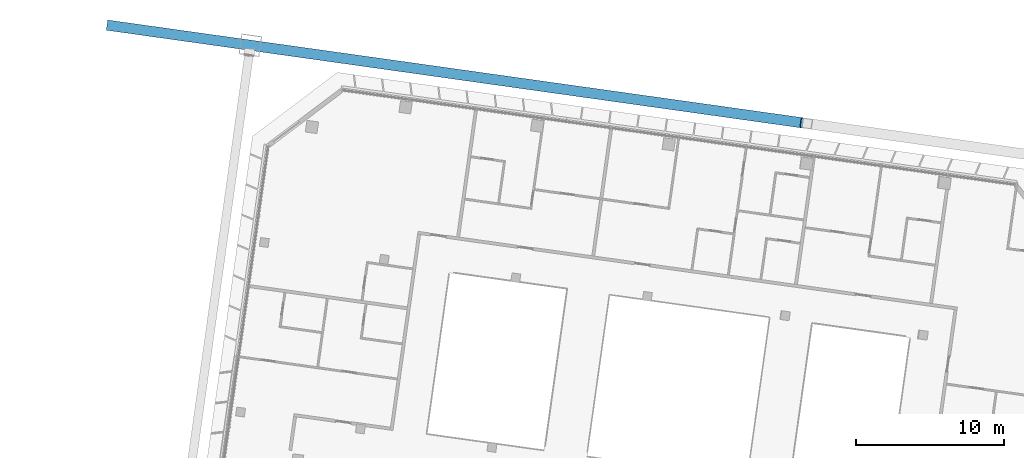
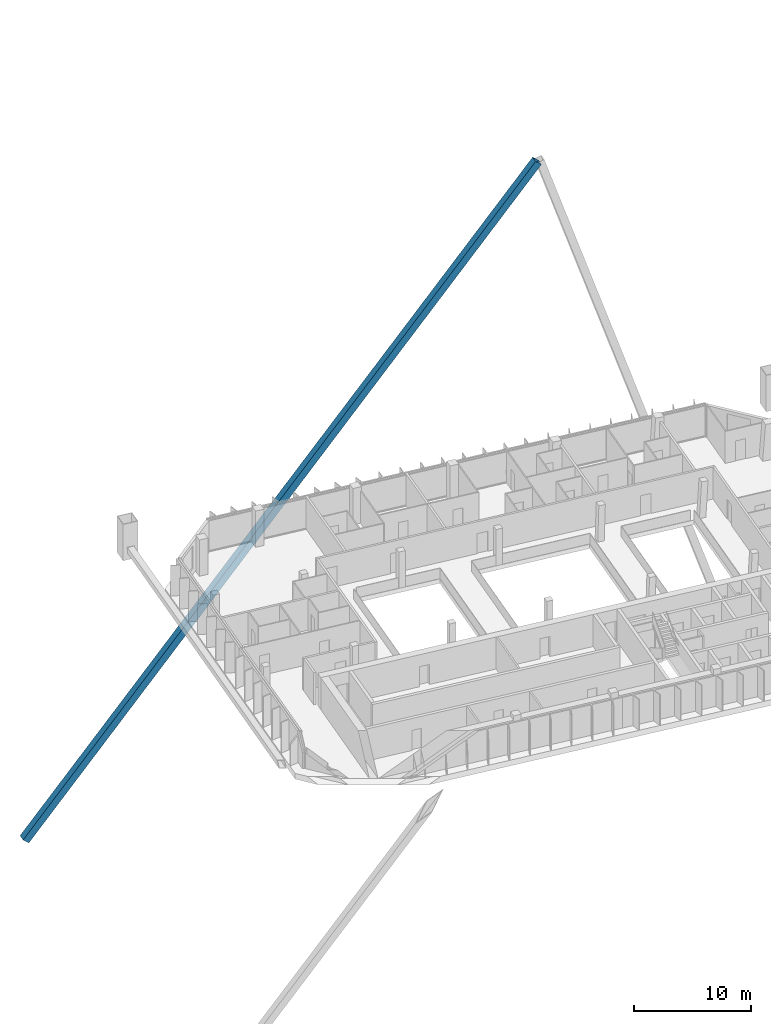
# One storey, part 8 of 38: 1 member.
"""IFC4 building model written with IfcOpenShell, lengths in metres."""

from ifc_helpers import new_model, si_unit, direction, frame, origin, origin_2d, place, context, subcontext, project, spatial, hollow_rectangle, extrude, material, material_profile, profile_set, type_object, element, save


model = new_model("IFC4")

# Units and contexts
model_context = context("Model", 3, precision=1e-05, world=origin(), true_north=direction((0.0, 1.0)))
body_context = subcontext(model_context, "Body", "Model", "MODEL_VIEW")
ifc_project = project(units=[si_unit("LENGTHUNIT", "METRE"), si_unit("AREAUNIT", "SQUARE_METRE"), si_unit("VOLUMEUNIT", "CUBIC_METRE"), si_unit("PLANEANGLEUNIT", "RADIAN"), si_unit("MASSUNIT", "GRAM", prefix="KILO")], contexts=[model_context])

# Site, building, storey
site_placement = place(None, origin())
site = spatial("IfcSite", under=ifc_project, at=site_placement, CompositionType="ELEMENT")
building_placement = place(site_placement, origin())
building = spatial("IfcBuilding", under=site, at=building_placement, Name="Mirante Cascada Hotel Towers", CompositionType="ELEMENT")
storey_placement = place(building_placement, frame((0.0, 0.0, 184.0)))
storey = spatial("IfcBuildingStorey", under=building, at=storey_placement, Name="L43", CompositionType="ELEMENT", Elevation=184.0)

# Member
ifc_material = material(Name="Steel ASTM A572 Gr 50", Category="steel")
ifc_material_profile = material_profile(ifc_material, hollow_rectangle(XDim=0.7, YDim=0.7, WallThickness=0.035, at=origin_2d()), Name="Box brace 700x700x35 ASTM A572 Gr 50")
ifc_profile_set = profile_set([ifc_material_profile], Name="Steel ASTM A572 Gr 50")
member_type = type_object("IfcMemberType", Name="Box brace 700x700x35 ASTM A572 Gr 50", PredefinedType="BRACE", material=ifc_profile_set)
member_placement = place(storey_placement, frame((-91.9746, 27.9163, -27.3045), z_axis=(0.622869, -0.0875376, 0.7774132), x_axis=(0.1391717, 0.9902683, 0.0)))
element("IfcMember", 1, at=member_placement, inside=storey, type_object=member_type, Name="brace T1 L43 2", PredefinedType="BRACE", context=body_context, shape_type="SweptSolid", body=[
    extrude(hollow_rectangle(XDim=0.7, YDim=0.7, WallThickness=0.035, at=origin_2d()), origin(), (0.0, 0.0, 1.0), 75.4224),
])

save(model, "model.ifc")
